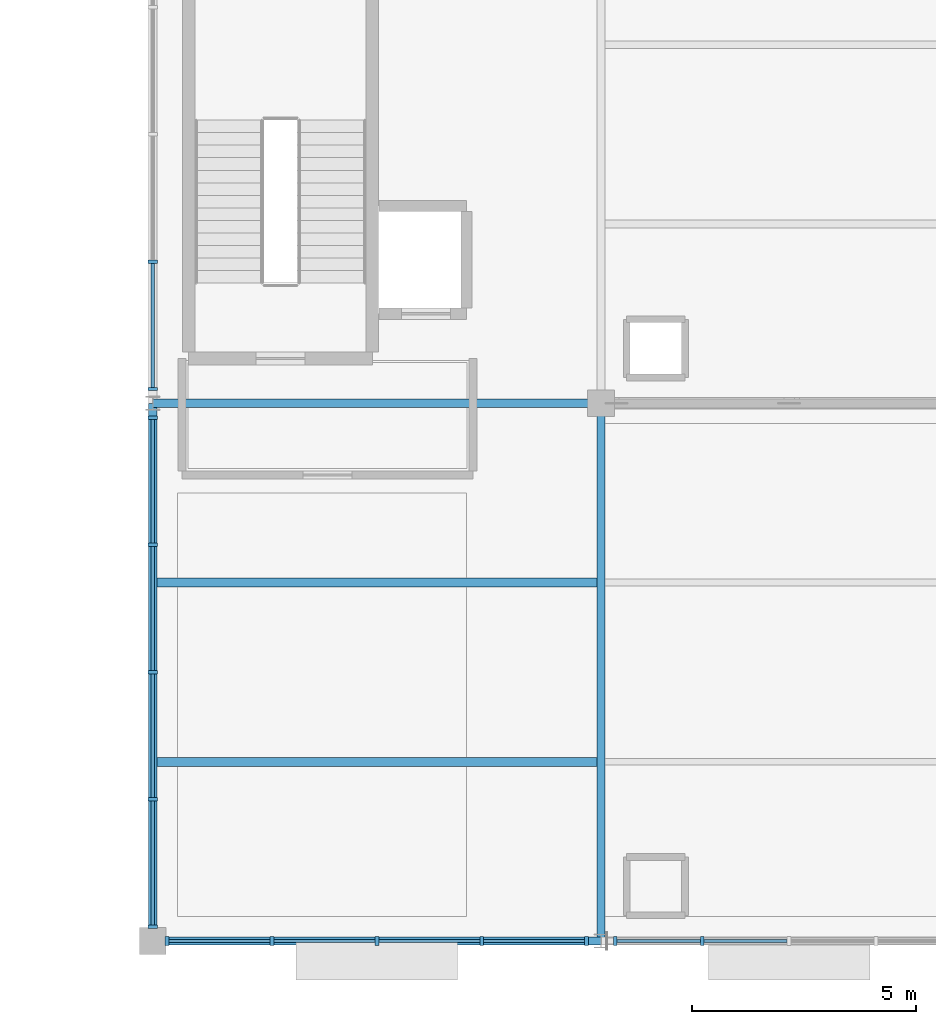
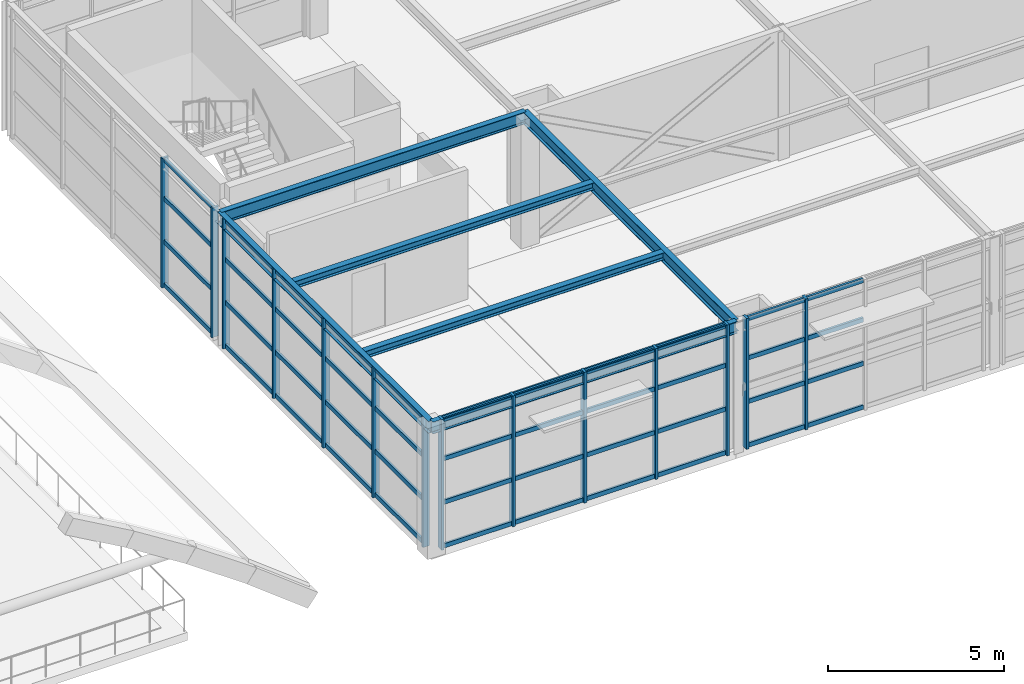
# One storey, part 18 of 82: 58 members, 6 beams, 4 elements without a shape of their own.
"""IFC4 building model written with IfcOpenShell, lengths in metres."""

import ifcopenshell
import ifcopenshell.guid

model = None  # the IFC model being written
_history = None  # IfcOwnerHistory: only IFC2X3 demands one
_inside = {}  # id of a spatial element -> (the spatial element, [elements in it])
_under = {}  # id of a project, library or spatial element -> (it, [spatial elements below it])
_declared = {}  # id of a project -> (the project, [libraries it declares])
_typed = {}  # id of a type object -> (the type object, [elements of that type])
_made_of = {}  # id of a material, layer set ... -> (it, [elements and type objects made of it])


def new_model(schema):
    """Start an empty IFC model of exactly this schema.

    Asked for "IFC4X3", IfcOpenShell would pick the latest addendum, in which some entities
    have other attributes; the version numbers below select the first issue.
    IFC2X3 requires an IfcOwnerHistory on every rooted entity: one is made here for all.
    """
    global model, _history
    if schema == "IFC4X3":
        model = ifcopenshell.file(schema_version=(4, 3, 0, 0))
    else:
        model = ifcopenshell.file(schema=schema)
    _inside.clear()
    _under.clear()
    _declared.clear()
    _typed.clear()
    _made_of.clear()
    _history = None
    if model.schema == "IFC2X3":
        org = make("IfcOrganization", Name="unknown")
        user = make(
            "IfcPersonAndOrganization",
            ThePerson=make("IfcPerson", FamilyName="unknown"),
            TheOrganization=org,
        )
        app = make(
            "IfcApplication",
            ApplicationDeveloper=org,
            Version="unknown",
            ApplicationFullName="unknown",
            ApplicationIdentifier="unknown",
        )
        _history = make(
            "IfcOwnerHistory",
            OwningUser=user,
            OwningApplication=app,
            ChangeAction="ADDED",
            CreationDate=0,
        )
    return model


def make(cls, **values):
    """One entity of the class cls with the attributes given. An attribute that is None is left unset."""
    return model.create_entity(
        cls, **{name: value for name, value in values.items() if value is not None}
    )


def rooted(cls, **values):
    """An entity with a GlobalId (a new one), such as an element, a storey or a relation."""
    return make(cls, GlobalId=ifcopenshell.guid.new(), OwnerHistory=_history, **values)


def si_unit(unit_type, name, prefix=None):
    """IfcSIUnit, for example si_unit("LENGTHUNIT", "METRE", prefix="MILLI")."""
    return make("IfcSIUnit", UnitType=unit_type, Prefix=prefix, Name=name)


def assignment(units):
    """IfcUnitAssignment: the units of a project."""
    return None if units is None else make("IfcUnitAssignment", Units=units)


def point(xyz):
    """IfcCartesianPoint."""
    return None if xyz is None else make("IfcCartesianPoint", Coordinates=xyz)


def direction(xyz):
    """IfcDirection."""
    return None if xyz is None else make("IfcDirection", DirectionRatios=xyz)


def frame(location, z_axis=None, x_axis=None):
    """IfcAxis2Placement3D, a coordinate frame: its origin and axes. An axis left out is left unset."""
    return make(
        "IfcAxis2Placement3D",
        Location=point(location),
        Axis=direction(z_axis),
        RefDirection=direction(x_axis),
    )


def frame_2d(location, x_axis=None):
    """IfcAxis2Placement2D, a coordinate frame in the plane: its origin and x axis."""
    return make(
        "IfcAxis2Placement2D", Location=point(location), RefDirection=direction(x_axis)
    )


def origin():
    """The frame at (0, 0, 0) with its axes left unset."""
    return frame((0.0, 0.0, 0.0))


def origin_2d():
    """The frame at (0, 0) in the plane with its x axis left unset."""
    return frame_2d((0.0, 0.0))


def place(relative_to, where):
    """IfcLocalPlacement: puts the frame where relative to a parent placement (None: the world)."""
    return make(
        "IfcLocalPlacement", PlacementRelTo=relative_to, RelativePlacement=where
    )


def context(
    kind, dimensions, precision=None, world=None, true_north=None, identifier=None
):
    """IfcGeometricRepresentationContext, for example the 3D "Model" context."""
    return make(
        "IfcGeometricRepresentationContext",
        ContextIdentifier=identifier,
        ContextType=kind,
        CoordinateSpaceDimension=dimensions,
        Precision=precision,
        WorldCoordinateSystem=world,
        TrueNorth=true_north,
    )


def subcontext(parent, identifier, kind, view, scale=None):
    """IfcGeometricRepresentationSubContext, for example "Body" below "Model"."""
    return make(
        "IfcGeometricRepresentationSubContext",
        ContextIdentifier=identifier,
        ContextType=kind,
        ParentContext=parent,
        TargetScale=scale,
        TargetView=view,
    )


def project(units=None, contexts=None):
    """IfcProject with its units and contexts."""
    return rooted(
        "IfcProject",
        Name="project",
        RepresentationContexts=contexts,
        UnitsInContext=assignment(units),
    )


def spatial(cls, under=None, at=None, **own):
    """A site, building, storey or space (cls), placed at a placement, below another one or the project."""
    s = rooted(cls, ObjectPlacement=at, **own)
    if under is not None:
        _under.setdefault(under.id(), (under, []))[1].append(s)
    return s


def profile(cls, at=None, kind="AREA", **sizes):
    """A parametric profile (cls). Its sizes go by their IFC names, for example OverallWidth=200.0."""
    return make(cls, ProfileType=kind, Position=at, **sizes)


def rectangle(**sizes):
    """IfcRectangleProfileDef."""
    return profile("IfcRectangleProfileDef", **sizes)


def i_section(**sizes):
    """IfcIShapeProfileDef."""
    return profile("IfcIShapeProfileDef", **sizes)


def extrude(swept, where, along, depth):
    """IfcExtrudedAreaSolid: the profile swept, set in the frame where, extruded along a direction by depth."""
    return make(
        "IfcExtrudedAreaSolid",
        SweptArea=swept,
        Position=where,
        ExtrudedDirection=direction(along),
        Depth=depth,
    )


def shape(context_of_items, identifier, shape_type, items):
    """IfcShapeRepresentation: the items that make up one representation, for example the "Body"."""
    return make(
        "IfcShapeRepresentation",
        ContextOfItems=context_of_items,
        RepresentationIdentifier=identifier,
        RepresentationType=shape_type,
        Items=items,
    )


def material(Name=None, Category=None):
    """IfcMaterial."""
    return make("IfcMaterial", Name=Name, Category=Category)


def layer(
    of_material, thickness, ventilated=None, Name=None, Category=None, Priority=None
):
    """IfcMaterialLayer: one layer of a wall or slab, of a material (None: an air gap)."""
    return make(
        "IfcMaterialLayer",
        Material=of_material,
        LayerThickness=thickness,
        IsVentilated=ventilated,
        Name=Name,
        Category=Category,
        Priority=Priority,
    )


def layer_set(layers, Name=None):
    """IfcMaterialLayerSet."""
    return make("IfcMaterialLayerSet", MaterialLayers=layers, LayerSetName=Name)


def material_profile(
    of_material, cross_section, Name=None, Category=None, Priority=None
):
    """IfcMaterialProfile: a cross section and its material."""
    return make(
        "IfcMaterialProfile",
        Name=Name,
        Material=of_material,
        Profile=cross_section,
        Priority=Priority,
        Category=Category,
    )


def profile_set(profiles, Name=None, composite=None):
    """IfcMaterialProfileSet."""
    return make(
        "IfcMaterialProfileSet",
        Name=Name,
        MaterialProfiles=profiles,
        CompositeProfile=composite,
    )


def made_of(thing, what):
    """Note that an element or type object is made of a material, layer set ...; save() writes the relation."""
    if what is not None:
        _made_of.setdefault(what.id(), (what, []))[1].append(thing)
    return thing


def type_object(cls, material=None, **own):
    """A type object (cls), such as IfcWallType, which elements share."""
    return made_of(rooted(cls, **own), material)


def element(
    cls,
    number,
    at=None,
    inside=None,
    cuts=None,
    type_object=None,
    material=None,
    context=None,
    identifier="Body",
    shape_type=None,
    held_by="IfcProductDefinitionShape",
    body=None,
    shapes=None,
    **own,
):
    """One element of the class cls, such as IfcWall. Its Tag is "e" and its number.

    at: its placement. inside: the storey or other place that contains it. cuts: it is an
    opening in that element (IfcRelVoidsElement). A single representation is given by context,
    identifier, shape_type and body (its items); several are given by shapes. held_by: the class
    of the entity that holds the representations. save() writes the other relations.
    """
    e = rooted(cls, Tag="e%d" % number, ObjectPlacement=at, **own)
    if body is not None:
        shapes = [shape(context, identifier, shape_type, body)]
    if shapes is not None:
        e.Representation = make(held_by, Representations=shapes)
    if inside is not None:
        _inside.setdefault(inside.id(), (inside, []))[1].append(e)
    if cuts is not None:
        rooted(
            "IfcRelVoidsElement", RelatingBuildingElement=cuts, RelatedOpeningElement=e
        )
    if type_object is not None:
        _typed.setdefault(type_object.id(), (type_object, []))[1].append(e)
    return made_of(e, material)


def aggregate(whole, parts):
    """IfcRelAggregates: a whole, such as a stair, and the parts it consists of."""
    return rooted("IfcRelAggregates", RelatingObject=whole, RelatedObjects=parts)


def save(model, path):
    """Write the relations noted so far, then the file.

    IfcRelAggregates (storeys below a building ...), IfcRelContainedInSpatialStructure (elements
    in a storey), IfcRelDefinesByType, IfcRelAssociatesMaterial and IfcRelDeclares: one each for
    every whole, place, type object, material and project.
    """
    for whole, parts in _under.values():
        aggregate(whole, parts)
    for where, things in _inside.values():
        rooted(
            "IfcRelContainedInSpatialStructure",
            RelatedElements=things,
            RelatingStructure=where,
        )
    for kind, things in _typed.values():
        rooted("IfcRelDefinesByType", RelatedObjects=things, RelatingType=kind)
    for what, things in _made_of.values():
        rooted("IfcRelAssociatesMaterial", RelatedObjects=things, RelatingMaterial=what)
    for by, libraries in _declared.values():
        rooted("IfcRelDeclares", RelatingContext=by, RelatedDefinitions=libraries)
    model.write(path)


model = new_model("IFC4")

# Units and contexts
model_context = context("Model", 3, precision=1e-05, world=origin(), true_north=direction((0.0, 1.0)))
body_context = subcontext(model_context, "Body", "Model", "MODEL_VIEW")
ifc_project = project(units=[si_unit("LENGTHUNIT", "METRE"), si_unit("AREAUNIT", "SQUARE_METRE"), si_unit("VOLUMEUNIT", "CUBIC_METRE"), si_unit("PLANEANGLEUNIT", "RADIAN"), si_unit("MASSUNIT", "GRAM", prefix="KILO")], contexts=[model_context])

# Site, building, storey
site_placement = place(None, origin())
site = spatial("IfcSite", under=ifc_project, at=site_placement, CompositionType="ELEMENT")
building_placement = place(site_placement, origin())
building = spatial("IfcBuilding", under=site, at=building_placement, Name="Sitalva Quay Ferry Terminal", CompositionType="ELEMENT")
storey_placement = place(building_placement, frame((0.0, 0.0, 5.39990234375)))
storey = spatial("IfcBuildingStorey", under=building, at=storey_placement, Name="L02", CompositionType="ELEMENT", Elevation=5.39990234375)

# Beams
ifc_material_1 = material(Name="Structural Steel S355JR", Category="steel")
ifc_material_profile_1 = material_profile(ifc_material_1, i_section(OverallWidth=0.180908203125, OverallDepth=0.4169921875, WebThickness=0.010986328125, FlangeThickness=0.018310546875, FilletRadius=0.012939453125, at=origin_2d()), Name="W410x85")
ifc_profile_set_1 = profile_set([ifc_material_profile_1], Name="Structural Steel S355JR")
beam_type_1 = type_object("IfcBeamType", Name="Beam_W410x85", PredefinedType="BEAM", material=ifc_profile_set_1)
for number, where, z_axis, x_axis, name in (
    (1, (74.0, 6.0, 4.33154296875), (1.0, 0.0, 0.0), (0.0, 1.0, 0.0), "L02 Primary X girder 0695"),
    (2, (74.0, 18.0, 4.33154296875), (1.0, 0.0, 0.0), (0.0, 1.0, 0.0), "L02 Primary X girder 0696"),
):
    element("IfcBeam", number, at=place(storey_placement, frame(where, z_axis=z_axis, x_axis=x_axis)), inside=storey, type_object=beam_type_1, Name=name, PredefinedType="BEAM", context=body_context, shape_type="SweptSolid", body=[
        extrude(i_section(OverallWidth=0.180908203125, OverallDepth=0.4169921875, WebThickness=0.010986328125, FlangeThickness=0.018310546875, FilletRadius=0.012939453125, at=origin_2d()), origin(), (0.0, 0.0, 1.0), 10.0),
    ])
for number, where, z_axis, x_axis, name in (
    (3, (74.0, 6.0, 4.33154296875), (0.0, 1.0, 0.0), (-1.0, 0.0, 0.0), "L02 Primary Y girder 0698"),
    (4, (84.0, 6.0, 4.33154296875), (0.0, 1.0, 0.0), (-1.0, 0.0, 0.0), "L02 Primary Y girder 0700"),
):
    element("IfcBeam", number, at=place(storey_placement, frame(where, z_axis=z_axis, x_axis=x_axis)), inside=storey, type_object=beam_type_1, Name=name, PredefinedType="BEAM", context=body_context, shape_type="SweptSolid", body=[
        extrude(i_section(OverallWidth=0.180908203125, OverallDepth=0.4169921875, WebThickness=0.010986328125, FlangeThickness=0.018310546875, FilletRadius=0.012939453125, at=origin_2d()), origin(), (0.0, 0.0, 1.0), 12.0),
    ])
ifc_material_2 = material(Name="Structural Steel S355JR", Category="steel")
ifc_material_profile_2 = material_profile(ifc_material_2, i_section(OverallWidth=0.201904296875, OverallDepth=0.2470703125, WebThickness=0.00732421875, FlangeThickness=0.010986328125, FilletRadius=0.010986328125, at=origin_2d()), Name="W250x49")
ifc_profile_set_2 = profile_set([ifc_material_profile_2], Name="Structural Steel S355JR")
beam_type_2 = type_object("IfcBeamType", Name="Joist_W250x49", PredefinedType="JOIST", material=ifc_profile_set_2)
for number, where, z_axis, x_axis, name in (
    (5, (74.090576171875, 10.0, 4.41650390625), (1.0, 0.0, 0.0), (0.0, 1.0, 0.0), "L02 Secondary joist 0702"),
    (6, (74.090576171875, 14.0, 4.41650390625), (1.0, 0.0, 0.0), (0.0, 1.0, 0.0), "L02 Secondary joist 0703"),
):
    element("IfcBeam", number, at=place(storey_placement, frame(where, z_axis=z_axis, x_axis=x_axis)), inside=storey, type_object=beam_type_2, Name=name, PredefinedType="JOIST", context=body_context, shape_type="SweptSolid", body=[
        extrude(i_section(OverallWidth=0.201904296875, OverallDepth=0.2470703125, WebThickness=0.00732421875, FlangeThickness=0.010986328125, FilletRadius=0.010986328125, at=origin_2d()), origin(), (0.0, 0.0, 1.0), 9.81884765625),
    ])

# Curtain wall, members
ifc_material_3 = material(Name="Anodised Aluminium & Low-E Glazing", Category="aluminium")
ifc_layer_1 = layer(ifc_material_3, 0.159912109375)
ifc_layer_set_1 = layer_set([ifc_layer_1], Name="Anodised Aluminium & Low-E Glazing")
curtain_wall_type_1 = type_object("IfcCurtainWallType", Name="CW_Podium_Stick", PredefinedType="USERDEFINED", material=ifc_layer_set_1)
curtain_wall_1_placement = place(storey_placement, origin())
curtain_wall_1 = element("IfcCurtainWall", 7, at=curtain_wall_1_placement, inside=storey, type_object=curtain_wall_type_1, Name="L02 spine west clerestory over V1 eaves (CW-L02-083)", ObjectType="CURTAIN_WALL", PredefinedType="USERDEFINED")
ifc_material_4 = material(Name="Anodised Aluminium 6063-T6", Category="aluminium")
ifc_material_profile_3 = material_profile(ifc_material_4, rectangle(XDim=0.074951171875, YDim=0.219970703125, at=origin_2d()), Name="ALU75x220")
ifc_profile_set_3 = profile_set([ifc_material_profile_3], Name="Anodised Aluminium 6063-T6")
member_type_1 = type_object("IfcMemberType", Name="Mullion_Alu_75x160", PredefinedType="MULLION", material=ifc_profile_set_3)
member_1_placement = place(storey_placement, frame((74.0, 6.320068359375, 0.0), z_axis=(0.0, 0.0, 1.0), x_axis=(0.0, 1.0, 0.0)))
member_1 = element("IfcMember", 8, at=member_1_placement, type_object=member_type_1, Name="CW-L02-083-M0", PredefinedType="MULLION", context=body_context, shape_type="SweptSolid", body=[
    extrude(rectangle(XDim=0.074951171875, YDim=0.219970703125, at=origin_2d()), origin(), (0.0, 0.0, 1.0), 4.5),
])
member_2_placement = place(storey_placement, frame((74.0, 9.159912109375, 0.0), z_axis=(0.0, 0.0, 1.0), x_axis=(0.0, 1.0, 0.0)))
member_2 = element("IfcMember", 9, at=member_2_placement, type_object=member_type_1, Name="CW-L02-083-M1", PredefinedType="MULLION", context=body_context, shape_type="SweptSolid", body=[
    extrude(rectangle(XDim=0.074951171875, YDim=0.219970703125, at=origin_2d()), origin(), (0.0, 0.0, 1.0), 4.5),
])
member_3_placement = place(storey_placement, frame((74.0, 12.0, 0.0), z_axis=(0.0, 0.0, 1.0), x_axis=(0.0, 1.0, 0.0)))
member_3 = element("IfcMember", 10, at=member_3_placement, type_object=member_type_1, Name="CW-L02-083-M2", PredefinedType="MULLION", context=body_context, shape_type="SweptSolid", body=[
    extrude(rectangle(XDim=0.074951171875, YDim=0.219970703125, at=origin_2d()), origin(), (0.0, 0.0, 1.0), 4.5),
])
member_4_placement = place(storey_placement, frame((74.0, 14.840087890625, 0.0), z_axis=(0.0, 0.0, 1.0), x_axis=(0.0, 1.0, 0.0)))
member_4 = element("IfcMember", 11, at=member_4_placement, type_object=member_type_1, Name="CW-L02-083-M3", PredefinedType="MULLION", context=body_context, shape_type="SweptSolid", body=[
    extrude(rectangle(XDim=0.074951171875, YDim=0.219970703125, at=origin_2d()), origin(), (0.0, 0.0, 1.0), 4.5),
])
member_5_placement = place(storey_placement, frame((74.0, 17.679931640625, 0.0), z_axis=(0.0, 0.0, 1.0), x_axis=(0.0, 1.0, 0.0)))
member_5 = element("IfcMember", 12, at=member_5_placement, type_object=member_type_1, Name="CW-L02-083-M4", PredefinedType="MULLION", context=body_context, shape_type="SweptSolid", body=[
    extrude(rectangle(XDim=0.074951171875, YDim=0.219970703125, at=origin_2d()), origin(), (0.0, 0.0, 1.0), 4.5),
])

curtain_wall_2_placement = place(storey_placement, origin())
curtain_wall_2 = element("IfcCurtainWall", 13, at=curtain_wall_2_placement, inside=storey, type_object=curtain_wall_type_1, Name="L02 spine west clerestory over V1 eaves (CW-L02-084)", ObjectType="CURTAIN_WALL", PredefinedType="USERDEFINED")
member_6_placement = place(storey_placement, frame((74.0, 18.320068359375, 0.0), z_axis=(0.0, 0.0, 1.0), x_axis=(0.0, 1.0, 0.0)))
member_6 = element("IfcMember", 14, at=member_6_placement, type_object=member_type_1, Name="CW-L02-084-M0", PredefinedType="MULLION", context=body_context, shape_type="SweptSolid", body=[
    extrude(rectangle(XDim=0.074951171875, YDim=0.219970703125, at=origin_2d()), origin(), (0.0, 0.0, 1.0), 4.5),
])
member_7_placement = place(storey_placement, frame((74.0, 21.159912109375, 0.0), z_axis=(0.0, 0.0, 1.0), x_axis=(0.0, 1.0, 0.0)))
member_7 = element("IfcMember", 15, at=member_7_placement, type_object=member_type_1, Name="CW-L02-084-M1", PredefinedType="MULLION", context=body_context, shape_type="SweptSolid", body=[
    extrude(rectangle(XDim=0.074951171875, YDim=0.219970703125, at=origin_2d()), origin(), (0.0, 0.0, 1.0), 4.5),
])

ifc_material_5 = material(Name="Anodised Aluminium & Low-E Glazing", Category="aluminium")
ifc_layer_2 = layer(ifc_material_5, 0.159912109375)
ifc_layer_set_2 = layer_set([ifc_layer_2], Name="Anodised Aluminium & Low-E Glazing")
curtain_wall_type_2 = type_object("IfcCurtainWallType", Name="CW_Concourse_Unitised", PredefinedType="USERDEFINED", material=ifc_layer_set_2)
curtain_wall_3_placement = place(storey_placement, origin())
curtain_wall_3 = element("IfcCurtainWall", 16, at=curtain_wall_3_placement, inside=storey, type_object=curtain_wall_type_2, Name="L02 waterfront boarding concourse glazing (CW-L02-057)", ObjectType="CURTAIN_WALL", PredefinedType="USERDEFINED")
ifc_material_6 = material(Name="Anodised Aluminium 6063-T6", Category="aluminium")
ifc_material_profile_4 = material_profile(ifc_material_6, rectangle(XDim=0.0849609375, YDim=0.2099609375, at=origin_2d()), Name="ALU85x210")
ifc_profile_set_4 = profile_set([ifc_material_profile_4], Name="Anodised Aluminium 6063-T6")
member_type_2 = type_object("IfcMemberType", Name="Mullion_Alu_85x210", PredefinedType="MULLION", material=ifc_profile_set_4)
member_8_placement = place(storey_placement, frame((74.320068359375, 6.0, 0.0), z_axis=(0.0, 0.0, 1.0), x_axis=(1.0, 0.0, 0.0)))
member_8 = element("IfcMember", 17, at=member_8_placement, type_object=member_type_2, Name="CW-L02-057-M0", PredefinedType="MULLION", context=body_context, shape_type="SweptSolid", body=[
    extrude(rectangle(XDim=0.0849609375, YDim=0.2099609375, at=origin_2d()), origin(), (0.0, 0.0, 1.0), 4.5400390625),
])
member_9_placement = place(storey_placement, frame((76.659912109375, 6.0, 0.0), z_axis=(0.0, 0.0, 1.0), x_axis=(1.0, 0.0, 0.0)))
member_9 = element("IfcMember", 18, at=member_9_placement, type_object=member_type_2, Name="CW-L02-057-M1", PredefinedType="MULLION", context=body_context, shape_type="SweptSolid", body=[
    extrude(rectangle(XDim=0.0849609375, YDim=0.2099609375, at=origin_2d()), origin(), (0.0, 0.0, 1.0), 4.5400390625),
])
member_10_placement = place(storey_placement, frame((79.0, 6.0, 0.0), z_axis=(0.0, 0.0, 1.0), x_axis=(1.0, 0.0, 0.0)))
member_10 = element("IfcMember", 19, at=member_10_placement, type_object=member_type_2, Name="CW-L02-057-M2", PredefinedType="MULLION", context=body_context, shape_type="SweptSolid", body=[
    extrude(rectangle(XDim=0.0849609375, YDim=0.2099609375, at=origin_2d()), origin(), (0.0, 0.0, 1.0), 4.5400390625),
])
member_11_placement = place(storey_placement, frame((81.340087890625, 6.0, 0.0), z_axis=(0.0, 0.0, 1.0), x_axis=(1.0, 0.0, 0.0)))
member_11 = element("IfcMember", 20, at=member_11_placement, type_object=member_type_2, Name="CW-L02-057-M3", PredefinedType="MULLION", context=body_context, shape_type="SweptSolid", body=[
    extrude(rectangle(XDim=0.0849609375, YDim=0.2099609375, at=origin_2d()), origin(), (0.0, 0.0, 1.0), 4.5400390625),
])
member_12_placement = place(storey_placement, frame((83.679931640625, 6.0, 0.0), z_axis=(0.0, 0.0, 1.0), x_axis=(1.0, 0.0, 0.0)))
member_12 = element("IfcMember", 21, at=member_12_placement, type_object=member_type_2, Name="CW-L02-057-M4", PredefinedType="MULLION", context=body_context, shape_type="SweptSolid", body=[
    extrude(rectangle(XDim=0.0849609375, YDim=0.2099609375, at=origin_2d()), origin(), (0.0, 0.0, 1.0), 4.5400390625),
])

curtain_wall_4_placement = place(storey_placement, origin())
curtain_wall_4 = element("IfcCurtainWall", 22, at=curtain_wall_4_placement, inside=storey, type_object=curtain_wall_type_2, Name="L02 waterfront boarding concourse glazing (CW-L02-059)", ObjectType="CURTAIN_WALL", PredefinedType="USERDEFINED")
member_13_placement = place(storey_placement, frame((84.320068359375, 6.0, 0.0), z_axis=(0.0, 0.0, 1.0), x_axis=(1.0, 0.0, 0.0)))
member_13 = element("IfcMember", 23, at=member_13_placement, type_object=member_type_2, Name="CW-L02-059-M0", PredefinedType="MULLION", context=body_context, shape_type="SweptSolid", body=[
    extrude(rectangle(XDim=0.0849609375, YDim=0.2099609375, at=origin_2d()), origin(), (0.0, 0.0, 1.0), 4.5400390625),
])
member_14_placement = place(storey_placement, frame((86.260009765625, 6.0, 0.0), z_axis=(0.0, 0.0, 1.0), x_axis=(1.0, 0.0, 0.0)))
member_14 = element("IfcMember", 24, at=member_14_placement, type_object=member_type_2, Name="CW-L02-059-M1", PredefinedType="MULLION", context=body_context, shape_type="SweptSolid", body=[
    extrude(rectangle(XDim=0.0849609375, YDim=0.2099609375, at=origin_2d()), origin(), (0.0, 0.0, 1.0), 4.5400390625),
])

# Member
ifc_material_7 = material(Name="Anodised Aluminium 6063-T6", Category="aluminium")
ifc_material_profile_5 = material_profile(ifc_material_7, rectangle(XDim=0.074951171875, YDim=0.155029296875, at=origin_2d()), Name="ALU75x155")
ifc_profile_set_5 = profile_set([ifc_material_profile_5], Name="Anodised Aluminium 6063-T6")
member_type_3 = type_object("IfcMemberType", Name="Transom_Alu_70x135", PredefinedType="MULLION", material=ifc_profile_set_5)
member_15_placement = place(storey_placement, frame((74.0, 6.357421875, 0.07763671875), z_axis=(0.0, 1.0, 0.0), x_axis=(-1.0, 0.0, 0.0)))
member_15 = element("IfcMember", 25, at=member_15_placement, type_object=member_type_3, Name="CW-L02-083-T0-0", ObjectType="TRANSOM", PredefinedType="USERDEFINED", context=body_context, shape_type="SweptSolid", body=[
    extrude(rectangle(XDim=0.074951171875, YDim=0.155029296875, at=origin_2d()), origin(), (0.0, 0.0, 1.0), 2.76513671875),
])

member_16_placement = place(storey_placement, frame((74.0, 6.357421875, 1.57763671875), z_axis=(0.0, 1.0, 0.0), x_axis=(-1.0, 0.0, 0.0)))
member_16 = element("IfcMember", 26, at=member_16_placement, type_object=member_type_3, Name="CW-L02-083-T0-1", ObjectType="TRANSOM", PredefinedType="USERDEFINED", context=body_context, shape_type="SweptSolid", body=[
    extrude(rectangle(XDim=0.074951171875, YDim=0.155029296875, at=origin_2d()), origin(), (0.0, 0.0, 1.0), 2.76513671875),
])

member_17_placement = place(storey_placement, frame((74.0, 6.357421875, 3.07763671875), z_axis=(0.0, 1.0, 0.0), x_axis=(-1.0, 0.0, 0.0)))
member_17 = element("IfcMember", 27, at=member_17_placement, type_object=member_type_3, Name="CW-L02-083-T0-2", ObjectType="TRANSOM", PredefinedType="USERDEFINED", context=body_context, shape_type="SweptSolid", body=[
    extrude(rectangle(XDim=0.074951171875, YDim=0.155029296875, at=origin_2d()), origin(), (0.0, 0.0, 1.0), 2.76513671875),
])

member_18_placement = place(storey_placement, frame((74.0, 6.357421875, 4.422607421875), z_axis=(0.0, 1.0, 0.0), x_axis=(-1.0, 0.0, 0.0)))
member_18 = element("IfcMember", 28, at=member_18_placement, type_object=member_type_3, Name="CW-L02-083-T0-3", ObjectType="TRANSOM", PredefinedType="USERDEFINED", context=body_context, shape_type="SweptSolid", body=[
    extrude(rectangle(XDim=0.074951171875, YDim=0.155029296875, at=origin_2d()), origin(), (0.0, 0.0, 1.0), 2.76513671875),
])

member_19_placement = place(storey_placement, frame((74.0, 9.197509765625, 0.07763671875), z_axis=(0.0, 1.0, 0.0), x_axis=(-1.0, 0.0, 0.0)))
member_19 = element("IfcMember", 29, at=member_19_placement, type_object=member_type_3, Name="CW-L02-083-T1-0", ObjectType="TRANSOM", PredefinedType="USERDEFINED", context=body_context, shape_type="SweptSolid", body=[
    extrude(rectangle(XDim=0.074951171875, YDim=0.155029296875, at=origin_2d()), origin(), (0.0, 0.0, 1.0), 2.764892578125),
])

member_20_placement = place(storey_placement, frame((74.0, 9.197509765625, 1.57763671875), z_axis=(0.0, 1.0, 0.0), x_axis=(-1.0, 0.0, 0.0)))
member_20 = element("IfcMember", 30, at=member_20_placement, type_object=member_type_3, Name="CW-L02-083-T1-1", ObjectType="TRANSOM", PredefinedType="USERDEFINED", context=body_context, shape_type="SweptSolid", body=[
    extrude(rectangle(XDim=0.074951171875, YDim=0.155029296875, at=origin_2d()), origin(), (0.0, 0.0, 1.0), 2.764892578125),
])

member_21_placement = place(storey_placement, frame((74.0, 9.197509765625, 3.07763671875), z_axis=(0.0, 1.0, 0.0), x_axis=(-1.0, 0.0, 0.0)))
member_21 = element("IfcMember", 31, at=member_21_placement, type_object=member_type_3, Name="CW-L02-083-T1-2", ObjectType="TRANSOM", PredefinedType="USERDEFINED", context=body_context, shape_type="SweptSolid", body=[
    extrude(rectangle(XDim=0.074951171875, YDim=0.155029296875, at=origin_2d()), origin(), (0.0, 0.0, 1.0), 2.764892578125),
])

member_22_placement = place(storey_placement, frame((74.0, 9.197509765625, 4.422607421875), z_axis=(0.0, 1.0, 0.0), x_axis=(-1.0, 0.0, 0.0)))
member_22 = element("IfcMember", 32, at=member_22_placement, type_object=member_type_3, Name="CW-L02-083-T1-3", ObjectType="TRANSOM", PredefinedType="USERDEFINED", context=body_context, shape_type="SweptSolid", body=[
    extrude(rectangle(XDim=0.074951171875, YDim=0.155029296875, at=origin_2d()), origin(), (0.0, 0.0, 1.0), 2.764892578125),
])

member_23_placement = place(storey_placement, frame((74.0, 12.03759765625, 0.07763671875), z_axis=(0.0, 1.0, 0.0), x_axis=(-1.0, 0.0, 0.0)))
member_23 = element("IfcMember", 33, at=member_23_placement, type_object=member_type_3, Name="CW-L02-083-T2-0", ObjectType="TRANSOM", PredefinedType="USERDEFINED", context=body_context, shape_type="SweptSolid", body=[
    extrude(rectangle(XDim=0.074951171875, YDim=0.155029296875, at=origin_2d()), origin(), (0.0, 0.0, 1.0), 2.764892578125),
])

member_24_placement = place(storey_placement, frame((74.0, 12.03759765625, 1.57763671875), z_axis=(0.0, 1.0, 0.0), x_axis=(-1.0, 0.0, 0.0)))
member_24 = element("IfcMember", 34, at=member_24_placement, type_object=member_type_3, Name="CW-L02-083-T2-1", ObjectType="TRANSOM", PredefinedType="USERDEFINED", context=body_context, shape_type="SweptSolid", body=[
    extrude(rectangle(XDim=0.074951171875, YDim=0.155029296875, at=origin_2d()), origin(), (0.0, 0.0, 1.0), 2.764892578125),
])

member_25_placement = place(storey_placement, frame((74.0, 12.03759765625, 3.07763671875), z_axis=(0.0, 1.0, 0.0), x_axis=(-1.0, 0.0, 0.0)))
member_25 = element("IfcMember", 35, at=member_25_placement, type_object=member_type_3, Name="CW-L02-083-T2-2", ObjectType="TRANSOM", PredefinedType="USERDEFINED", context=body_context, shape_type="SweptSolid", body=[
    extrude(rectangle(XDim=0.074951171875, YDim=0.155029296875, at=origin_2d()), origin(), (0.0, 0.0, 1.0), 2.764892578125),
])

member_26_placement = place(storey_placement, frame((74.0, 12.03759765625, 4.422607421875), z_axis=(0.0, 1.0, 0.0), x_axis=(-1.0, 0.0, 0.0)))
member_26 = element("IfcMember", 36, at=member_26_placement, type_object=member_type_3, Name="CW-L02-083-T2-3", ObjectType="TRANSOM", PredefinedType="USERDEFINED", context=body_context, shape_type="SweptSolid", body=[
    extrude(rectangle(XDim=0.074951171875, YDim=0.155029296875, at=origin_2d()), origin(), (0.0, 0.0, 1.0), 2.764892578125),
])

member_27_placement = place(storey_placement, frame((74.0, 14.87744140625, 0.07763671875), z_axis=(0.0, 1.0, 0.0), x_axis=(-1.0, 0.0, 0.0)))
member_27 = element("IfcMember", 37, at=member_27_placement, type_object=member_type_3, Name="CW-L02-083-T3-0", ObjectType="TRANSOM", PredefinedType="USERDEFINED", context=body_context, shape_type="SweptSolid", body=[
    extrude(rectangle(XDim=0.074951171875, YDim=0.155029296875, at=origin_2d()), origin(), (0.0, 0.0, 1.0), 2.76513671875),
])

member_28_placement = place(storey_placement, frame((74.0, 14.87744140625, 1.57763671875), z_axis=(0.0, 1.0, 0.0), x_axis=(-1.0, 0.0, 0.0)))
member_28 = element("IfcMember", 38, at=member_28_placement, type_object=member_type_3, Name="CW-L02-083-T3-1", ObjectType="TRANSOM", PredefinedType="USERDEFINED", context=body_context, shape_type="SweptSolid", body=[
    extrude(rectangle(XDim=0.074951171875, YDim=0.155029296875, at=origin_2d()), origin(), (0.0, 0.0, 1.0), 2.76513671875),
])

member_29_placement = place(storey_placement, frame((74.0, 14.87744140625, 3.07763671875), z_axis=(0.0, 1.0, 0.0), x_axis=(-1.0, 0.0, 0.0)))
member_29 = element("IfcMember", 39, at=member_29_placement, type_object=member_type_3, Name="CW-L02-083-T3-2", ObjectType="TRANSOM", PredefinedType="USERDEFINED", context=body_context, shape_type="SweptSolid", body=[
    extrude(rectangle(XDim=0.074951171875, YDim=0.155029296875, at=origin_2d()), origin(), (0.0, 0.0, 1.0), 2.76513671875),
])

member_30_placement = place(storey_placement, frame((74.0, 14.87744140625, 4.422607421875), z_axis=(0.0, 1.0, 0.0), x_axis=(-1.0, 0.0, 0.0)))
member_30 = element("IfcMember", 40, at=member_30_placement, type_object=member_type_3, Name="CW-L02-083-T3-3", ObjectType="TRANSOM", PredefinedType="USERDEFINED", context=body_context, shape_type="SweptSolid", body=[
    extrude(rectangle(XDim=0.074951171875, YDim=0.155029296875, at=origin_2d()), origin(), (0.0, 0.0, 1.0), 2.76513671875),
])

aggregate(curtain_wall_1, [member_1, member_2, member_3, member_4, member_5, member_15, member_16, member_17, member_18, member_19, member_20, member_21, member_22, member_23, member_24, member_25, member_26, member_27, member_28, member_29, member_30])

member_31_placement = place(storey_placement, frame((74.0, 18.357421875, 0.07763671875), z_axis=(0.0, 1.0, 0.0), x_axis=(-1.0, 0.0, 0.0)))
member_31 = element("IfcMember", 41, at=member_31_placement, type_object=member_type_3, Name="CW-L02-084-T0-0", ObjectType="TRANSOM", PredefinedType="USERDEFINED", context=body_context, shape_type="SweptSolid", body=[
    extrude(rectangle(XDim=0.074951171875, YDim=0.155029296875, at=origin_2d()), origin(), (0.0, 0.0, 1.0), 2.76513671875),
])

member_32_placement = place(storey_placement, frame((74.0, 18.357421875, 1.57763671875), z_axis=(0.0, 1.0, 0.0), x_axis=(-1.0, 0.0, 0.0)))
member_32 = element("IfcMember", 42, at=member_32_placement, type_object=member_type_3, Name="CW-L02-084-T0-1", ObjectType="TRANSOM", PredefinedType="USERDEFINED", context=body_context, shape_type="SweptSolid", body=[
    extrude(rectangle(XDim=0.074951171875, YDim=0.155029296875, at=origin_2d()), origin(), (0.0, 0.0, 1.0), 2.76513671875),
])

member_33_placement = place(storey_placement, frame((74.0, 18.357421875, 3.07763671875), z_axis=(0.0, 1.0, 0.0), x_axis=(-1.0, 0.0, 0.0)))
member_33 = element("IfcMember", 43, at=member_33_placement, type_object=member_type_3, Name="CW-L02-084-T0-2", ObjectType="TRANSOM", PredefinedType="USERDEFINED", context=body_context, shape_type="SweptSolid", body=[
    extrude(rectangle(XDim=0.074951171875, YDim=0.155029296875, at=origin_2d()), origin(), (0.0, 0.0, 1.0), 2.76513671875),
])

member_34_placement = place(storey_placement, frame((74.0, 18.357421875, 4.422607421875), z_axis=(0.0, 1.0, 0.0), x_axis=(-1.0, 0.0, 0.0)))
member_34 = element("IfcMember", 44, at=member_34_placement, type_object=member_type_3, Name="CW-L02-084-T0-3", ObjectType="TRANSOM", PredefinedType="USERDEFINED", context=body_context, shape_type="SweptSolid", body=[
    extrude(rectangle(XDim=0.074951171875, YDim=0.155029296875, at=origin_2d()), origin(), (0.0, 0.0, 1.0), 2.76513671875),
])

aggregate(curtain_wall_2, [member_6, member_7, member_31, member_32, member_33, member_34])

ifc_material_8 = material(Name="Anodised Aluminium 6063-T6", Category="aluminium")
ifc_material_profile_6 = material_profile(ifc_material_8, rectangle(XDim=0.074951171875, YDim=0.14990234375, at=origin_2d()), Name="ALU75x150")
ifc_profile_set_6 = profile_set([ifc_material_profile_6], Name="Anodised Aluminium 6063-T6")
member_type_4 = type_object("IfcMemberType", Name="Transom_Alu_75x140", PredefinedType="MULLION", material=ifc_profile_set_6)
member_35_placement = place(storey_placement, frame((74.362548828125, 6.0, 0.0751953125), z_axis=(1.0, 0.0, 0.0), x_axis=(0.0, 1.0, 0.0)))
member_35 = element("IfcMember", 45, at=member_35_placement, type_object=member_type_4, Name="CW-L02-057-T0-0", ObjectType="TRANSOM", PredefinedType="USERDEFINED", context=body_context, shape_type="SweptSolid", body=[
    extrude(rectangle(XDim=0.074951171875, YDim=0.14990234375, at=origin_2d()), origin(), (0.0, 0.0, 1.0), 2.2548828125),
])

member_36_placement = place(storey_placement, frame((74.362548828125, 6.0, 1.58837890625), z_axis=(1.0, 0.0, 0.0), x_axis=(0.0, 1.0, 0.0)))
member_36 = element("IfcMember", 46, at=member_36_placement, type_object=member_type_4, Name="CW-L02-057-T0-1", ObjectType="TRANSOM", PredefinedType="USERDEFINED", context=body_context, shape_type="SweptSolid", body=[
    extrude(rectangle(XDim=0.074951171875, YDim=0.14990234375, at=origin_2d()), origin(), (0.0, 0.0, 1.0), 2.2548828125),
])

member_37_placement = place(storey_placement, frame((74.362548828125, 6.0, 3.101806640625), z_axis=(1.0, 0.0, 0.0), x_axis=(0.0, 1.0, 0.0)))
member_37 = element("IfcMember", 47, at=member_37_placement, type_object=member_type_4, Name="CW-L02-057-T0-2", ObjectType="TRANSOM", PredefinedType="USERDEFINED", context=body_context, shape_type="SweptSolid", body=[
    extrude(rectangle(XDim=0.074951171875, YDim=0.14990234375, at=origin_2d()), origin(), (0.0, 0.0, 1.0), 2.2548828125),
])

member_38_placement = place(storey_placement, frame((74.362548828125, 6.0, 4.465087890625), z_axis=(1.0, 0.0, 0.0), x_axis=(0.0, 1.0, 0.0)))
member_38 = element("IfcMember", 48, at=member_38_placement, type_object=member_type_4, Name="CW-L02-057-T0-3", ObjectType="TRANSOM", PredefinedType="USERDEFINED", context=body_context, shape_type="SweptSolid", body=[
    extrude(rectangle(XDim=0.074951171875, YDim=0.14990234375, at=origin_2d()), origin(), (0.0, 0.0, 1.0), 2.2548828125),
])

member_39_placement = place(storey_placement, frame((76.702392578125, 6.0, 0.0751953125), z_axis=(1.0, 0.0, 0.0), x_axis=(0.0, 1.0, 0.0)))
member_39 = element("IfcMember", 49, at=member_39_placement, type_object=member_type_4, Name="CW-L02-057-T1-0", ObjectType="TRANSOM", PredefinedType="USERDEFINED", context=body_context, shape_type="SweptSolid", body=[
    extrude(rectangle(XDim=0.074951171875, YDim=0.14990234375, at=origin_2d()), origin(), (0.0, 0.0, 1.0), 2.255126953125),
])

member_40_placement = place(storey_placement, frame((76.702392578125, 6.0, 1.58837890625), z_axis=(1.0, 0.0, 0.0), x_axis=(0.0, 1.0, 0.0)))
member_40 = element("IfcMember", 50, at=member_40_placement, type_object=member_type_4, Name="CW-L02-057-T1-1", ObjectType="TRANSOM", PredefinedType="USERDEFINED", context=body_context, shape_type="SweptSolid", body=[
    extrude(rectangle(XDim=0.074951171875, YDim=0.14990234375, at=origin_2d()), origin(), (0.0, 0.0, 1.0), 2.255126953125),
])

member_41_placement = place(storey_placement, frame((76.702392578125, 6.0, 3.101806640625), z_axis=(1.0, 0.0, 0.0), x_axis=(0.0, 1.0, 0.0)))
member_41 = element("IfcMember", 51, at=member_41_placement, type_object=member_type_4, Name="CW-L02-057-T1-2", ObjectType="TRANSOM", PredefinedType="USERDEFINED", context=body_context, shape_type="SweptSolid", body=[
    extrude(rectangle(XDim=0.074951171875, YDim=0.14990234375, at=origin_2d()), origin(), (0.0, 0.0, 1.0), 2.255126953125),
])

member_42_placement = place(storey_placement, frame((76.702392578125, 6.0, 4.465087890625), z_axis=(1.0, 0.0, 0.0), x_axis=(0.0, 1.0, 0.0)))
member_42 = element("IfcMember", 52, at=member_42_placement, type_object=member_type_4, Name="CW-L02-057-T1-3", ObjectType="TRANSOM", PredefinedType="USERDEFINED", context=body_context, shape_type="SweptSolid", body=[
    extrude(rectangle(XDim=0.074951171875, YDim=0.14990234375, at=origin_2d()), origin(), (0.0, 0.0, 1.0), 2.255126953125),
])

member_43_placement = place(storey_placement, frame((79.04248046875, 6.0, 0.0751953125), z_axis=(1.0, 0.0, 0.0), x_axis=(0.0, 1.0, 0.0)))
member_43 = element("IfcMember", 53, at=member_43_placement, type_object=member_type_4, Name="CW-L02-057-T2-0", ObjectType="TRANSOM", PredefinedType="USERDEFINED", context=body_context, shape_type="SweptSolid", body=[
    extrude(rectangle(XDim=0.074951171875, YDim=0.14990234375, at=origin_2d()), origin(), (0.0, 0.0, 1.0), 2.255126953125),
])

member_44_placement = place(storey_placement, frame((79.04248046875, 6.0, 1.58837890625), z_axis=(1.0, 0.0, 0.0), x_axis=(0.0, 1.0, 0.0)))
member_44 = element("IfcMember", 54, at=member_44_placement, type_object=member_type_4, Name="CW-L02-057-T2-1", ObjectType="TRANSOM", PredefinedType="USERDEFINED", context=body_context, shape_type="SweptSolid", body=[
    extrude(rectangle(XDim=0.074951171875, YDim=0.14990234375, at=origin_2d()), origin(), (0.0, 0.0, 1.0), 2.255126953125),
])

member_45_placement = place(storey_placement, frame((79.04248046875, 6.0, 3.101806640625), z_axis=(1.0, 0.0, 0.0), x_axis=(0.0, 1.0, 0.0)))
member_45 = element("IfcMember", 55, at=member_45_placement, type_object=member_type_4, Name="CW-L02-057-T2-2", ObjectType="TRANSOM", PredefinedType="USERDEFINED", context=body_context, shape_type="SweptSolid", body=[
    extrude(rectangle(XDim=0.074951171875, YDim=0.14990234375, at=origin_2d()), origin(), (0.0, 0.0, 1.0), 2.255126953125),
])

member_46_placement = place(storey_placement, frame((79.04248046875, 6.0, 4.465087890625), z_axis=(1.0, 0.0, 0.0), x_axis=(0.0, 1.0, 0.0)))
member_46 = element("IfcMember", 56, at=member_46_placement, type_object=member_type_4, Name="CW-L02-057-T2-3", ObjectType="TRANSOM", PredefinedType="USERDEFINED", context=body_context, shape_type="SweptSolid", body=[
    extrude(rectangle(XDim=0.074951171875, YDim=0.14990234375, at=origin_2d()), origin(), (0.0, 0.0, 1.0), 2.255126953125),
])

member_47_placement = place(storey_placement, frame((81.382568359375, 6.0, 0.0751953125), z_axis=(1.0, 0.0, 0.0), x_axis=(0.0, 1.0, 0.0)))
member_47 = element("IfcMember", 57, at=member_47_placement, type_object=member_type_4, Name="CW-L02-057-T3-0", ObjectType="TRANSOM", PredefinedType="USERDEFINED", context=body_context, shape_type="SweptSolid", body=[
    extrude(rectangle(XDim=0.074951171875, YDim=0.14990234375, at=origin_2d()), origin(), (0.0, 0.0, 1.0), 2.2548828125),
])

member_48_placement = place(storey_placement, frame((81.382568359375, 6.0, 1.58837890625), z_axis=(1.0, 0.0, 0.0), x_axis=(0.0, 1.0, 0.0)))
member_48 = element("IfcMember", 58, at=member_48_placement, type_object=member_type_4, Name="CW-L02-057-T3-1", ObjectType="TRANSOM", PredefinedType="USERDEFINED", context=body_context, shape_type="SweptSolid", body=[
    extrude(rectangle(XDim=0.074951171875, YDim=0.14990234375, at=origin_2d()), origin(), (0.0, 0.0, 1.0), 2.2548828125),
])

member_49_placement = place(storey_placement, frame((81.382568359375, 6.0, 3.101806640625), z_axis=(1.0, 0.0, 0.0), x_axis=(0.0, 1.0, 0.0)))
member_49 = element("IfcMember", 59, at=member_49_placement, type_object=member_type_4, Name="CW-L02-057-T3-2", ObjectType="TRANSOM", PredefinedType="USERDEFINED", context=body_context, shape_type="SweptSolid", body=[
    extrude(rectangle(XDim=0.074951171875, YDim=0.14990234375, at=origin_2d()), origin(), (0.0, 0.0, 1.0), 2.2548828125),
])

member_50_placement = place(storey_placement, frame((81.382568359375, 6.0, 4.465087890625), z_axis=(1.0, 0.0, 0.0), x_axis=(0.0, 1.0, 0.0)))
member_50 = element("IfcMember", 60, at=member_50_placement, type_object=member_type_4, Name="CW-L02-057-T3-3", ObjectType="TRANSOM", PredefinedType="USERDEFINED", context=body_context, shape_type="SweptSolid", body=[
    extrude(rectangle(XDim=0.074951171875, YDim=0.14990234375, at=origin_2d()), origin(), (0.0, 0.0, 1.0), 2.2548828125),
])

aggregate(curtain_wall_3, [member_8, member_9, member_10, member_11, member_12, member_35, member_36, member_37, member_38, member_39, member_40, member_41, member_42, member_43, member_44, member_45, member_46, member_47, member_48, member_49, member_50])

member_51_placement = place(storey_placement, frame((84.362548828125, 6.0, 0.0751953125), z_axis=(1.0, 0.0, 0.0), x_axis=(0.0, 1.0, 0.0)))
member_51 = element("IfcMember", 61, at=member_51_placement, type_object=member_type_4, Name="CW-L02-059-T0-0", ObjectType="TRANSOM", PredefinedType="USERDEFINED", context=body_context, shape_type="SweptSolid", body=[
    extrude(rectangle(XDim=0.074951171875, YDim=0.14990234375, at=origin_2d()), origin(), (0.0, 0.0, 1.0), 1.85498046875),
])

member_52_placement = place(storey_placement, frame((84.362548828125, 6.0, 1.58837890625), z_axis=(1.0, 0.0, 0.0), x_axis=(0.0, 1.0, 0.0)))
member_52 = element("IfcMember", 62, at=member_52_placement, type_object=member_type_4, Name="CW-L02-059-T0-1", ObjectType="TRANSOM", PredefinedType="USERDEFINED", context=body_context, shape_type="SweptSolid", body=[
    extrude(rectangle(XDim=0.074951171875, YDim=0.14990234375, at=origin_2d()), origin(), (0.0, 0.0, 1.0), 1.85498046875),
])

member_53_placement = place(storey_placement, frame((84.362548828125, 6.0, 3.101806640625), z_axis=(1.0, 0.0, 0.0), x_axis=(0.0, 1.0, 0.0)))
member_53 = element("IfcMember", 63, at=member_53_placement, type_object=member_type_4, Name="CW-L02-059-T0-2", ObjectType="TRANSOM", PredefinedType="USERDEFINED", context=body_context, shape_type="SweptSolid", body=[
    extrude(rectangle(XDim=0.074951171875, YDim=0.14990234375, at=origin_2d()), origin(), (0.0, 0.0, 1.0), 1.85498046875),
])

member_54_placement = place(storey_placement, frame((84.362548828125, 6.0, 4.465087890625), z_axis=(1.0, 0.0, 0.0), x_axis=(0.0, 1.0, 0.0)))
member_54 = element("IfcMember", 64, at=member_54_placement, type_object=member_type_4, Name="CW-L02-059-T0-3", ObjectType="TRANSOM", PredefinedType="USERDEFINED", context=body_context, shape_type="SweptSolid", body=[
    extrude(rectangle(XDim=0.074951171875, YDim=0.14990234375, at=origin_2d()), origin(), (0.0, 0.0, 1.0), 1.85498046875),
])

member_55_placement = place(storey_placement, frame((86.302490234375, 6.0, 0.0751953125), z_axis=(1.0, 0.0, 0.0), x_axis=(0.0, 1.0, 0.0)))
member_55 = element("IfcMember", 65, at=member_55_placement, type_object=member_type_4, Name="CW-L02-059-T1-0", ObjectType="TRANSOM", PredefinedType="USERDEFINED", context=body_context, shape_type="SweptSolid", body=[
    extrude(rectangle(XDim=0.074951171875, YDim=0.14990234375, at=origin_2d()), origin(), (0.0, 0.0, 1.0), 1.85498046875),
])

member_56_placement = place(storey_placement, frame((86.302490234375, 6.0, 1.58837890625), z_axis=(1.0, 0.0, 0.0), x_axis=(0.0, 1.0, 0.0)))
member_56 = element("IfcMember", 66, at=member_56_placement, type_object=member_type_4, Name="CW-L02-059-T1-1", ObjectType="TRANSOM", PredefinedType="USERDEFINED", context=body_context, shape_type="SweptSolid", body=[
    extrude(rectangle(XDim=0.074951171875, YDim=0.14990234375, at=origin_2d()), origin(), (0.0, 0.0, 1.0), 1.85498046875),
])

member_57_placement = place(storey_placement, frame((86.302490234375, 6.0, 3.101806640625), z_axis=(1.0, 0.0, 0.0), x_axis=(0.0, 1.0, 0.0)))
member_57 = element("IfcMember", 67, at=member_57_placement, type_object=member_type_4, Name="CW-L02-059-T1-2", ObjectType="TRANSOM", PredefinedType="USERDEFINED", context=body_context, shape_type="SweptSolid", body=[
    extrude(rectangle(XDim=0.074951171875, YDim=0.14990234375, at=origin_2d()), origin(), (0.0, 0.0, 1.0), 1.85498046875),
])

member_58_placement = place(storey_placement, frame((86.302490234375, 6.0, 4.465087890625), z_axis=(1.0, 0.0, 0.0), x_axis=(0.0, 1.0, 0.0)))
member_58 = element("IfcMember", 68, at=member_58_placement, type_object=member_type_4, Name="CW-L02-059-T1-3", ObjectType="TRANSOM", PredefinedType="USERDEFINED", context=body_context, shape_type="SweptSolid", body=[
    extrude(rectangle(XDim=0.074951171875, YDim=0.14990234375, at=origin_2d()), origin(), (0.0, 0.0, 1.0), 1.85498046875),
])

aggregate(curtain_wall_4, [member_13, member_14, member_51, member_52, member_53, member_54, member_55, member_56, member_57, member_58])

save(model, "model.ifc")
